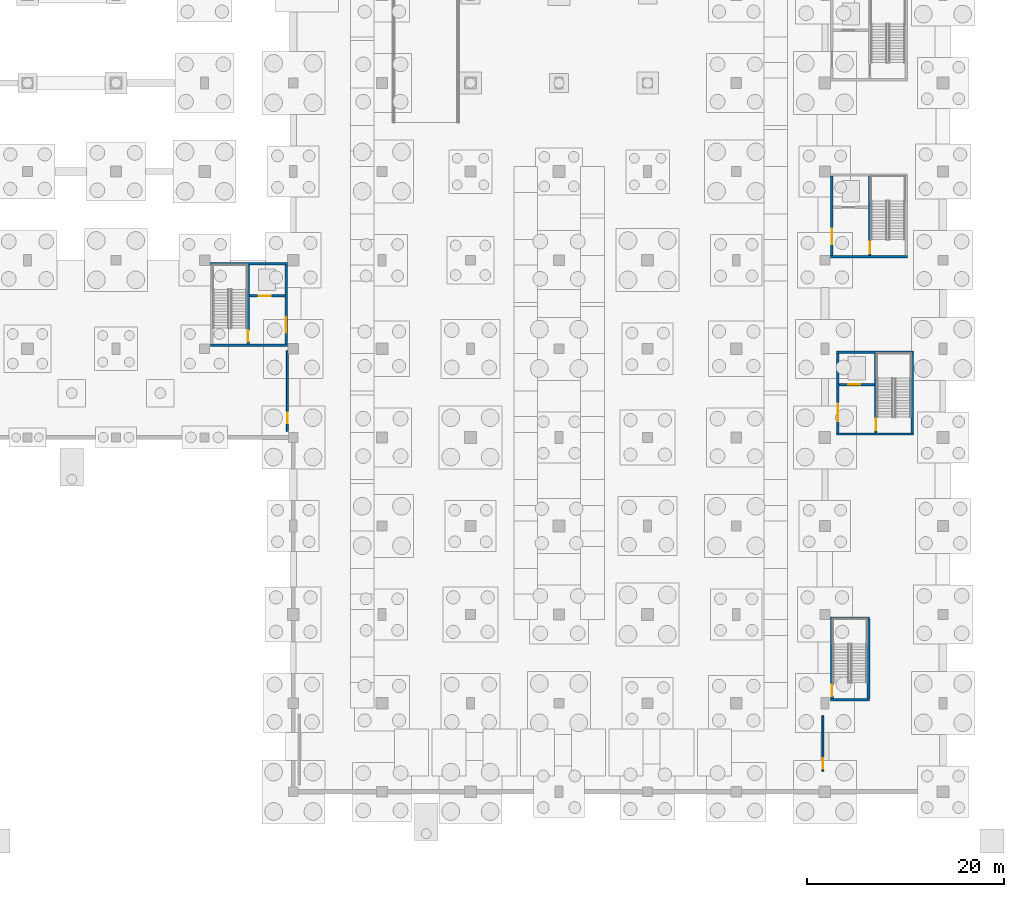
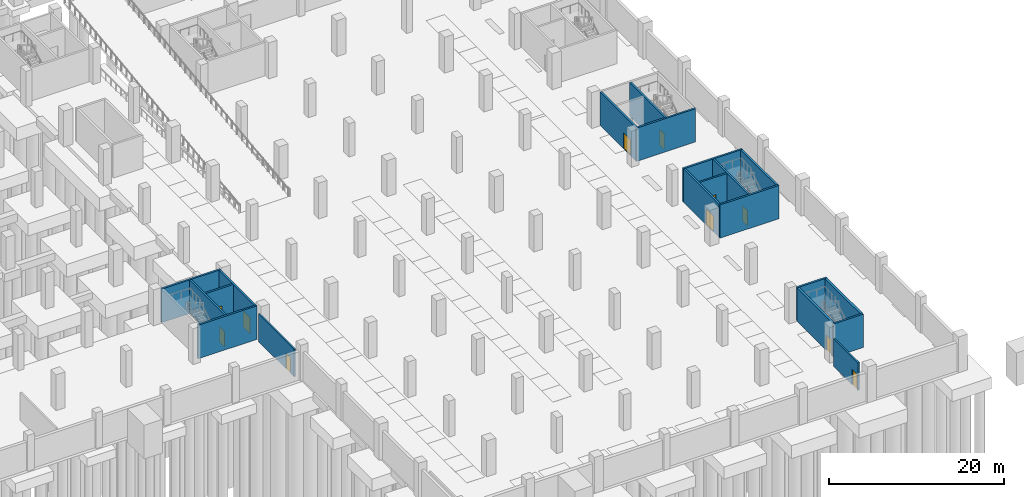
# One storey, part 19 of 37: 20 walls, 11 doors, 11 openings.
"""IFC4 building model written with IfcOpenShell, lengths in metres."""

from ifc_helpers import new_model, si_unit, direction, frame, frame_2d, origin, place, context, subcontext, project, spatial, rectangle, extrude, material, layer, layer_set, type_object, element, fill, save


model = new_model("IFC4")

# Units and contexts
model_context = context("Model", 3, precision=1e-05, world=origin(), true_north=direction((0.0, 1.0)))
body_context = subcontext(model_context, "Body", "Model", "MODEL_VIEW")
ifc_project = project(units=[si_unit("LENGTHUNIT", "METRE"), si_unit("AREAUNIT", "SQUARE_METRE"), si_unit("VOLUMEUNIT", "CUBIC_METRE"), si_unit("PLANEANGLEUNIT", "RADIAN"), si_unit("MASSUNIT", "GRAM", prefix="KILO")], contexts=[model_context])

# Site, building, storey
site_placement = place(None, origin())
site = spatial("IfcSite", under=ifc_project, at=site_placement, CompositionType="ELEMENT")
building_placement = place(site_placement, origin())
building = spatial("IfcBuilding", under=site, at=building_placement, Name="Barlavento Convention Centre", CompositionType="ELEMENT")
storey_placement = place(building_placement, frame((0.0, 0.0, -5.0)))
storey = spatial("IfcBuildingStorey", under=building, at=storey_placement, Name="B1", CompositionType="ELEMENT", Elevation=-5.0)

# Wall, opening, door
ifc_material_1 = material(Name="Concrete C40/50", Category="concrete")
ifc_layer_1 = layer(ifc_material_1, 0.199951171875)
ifc_layer_set_1 = layer_set([ifc_layer_1], Name="ARC-WL-FIRE-200")
wall_type_1 = type_object("IfcWallType", Name="ARC-WL-FIRE-200", PredefinedType="SOLIDWALL", material=ifc_layer_set_1)
wall_1_placement = place(storey_placement, frame((125.39990234375, 36.60009765625, 0.0), z_axis=(0.0, 0.0, 1.0), x_axis=(0.0, 1.0, 0.0)))
wall_1 = element("IfcWall", 1, at=wall_1_placement, inside=storey, type_object=wall_type_1, Name="B1 interior wall FW-01", PredefinedType="SOLIDWALL", context=body_context, shape_type="SweptSolid", body=[
    extrude(rectangle(XDim=8.199951171875, YDim=0.199951171875, at=frame_2d((4.10009765625, 0.0))), origin(), (0.0, 0.0, 1.0), 3.85009765625),
])
opening_1_placement = place(wall_1_placement, frame((0.85009765625, 0.0, 0.0)))
opening_1 = element("IfcOpeningElement", 2, at=opening_1_placement, cuts=wall_1, Name="Opening FD-04", PredefinedType="OPENING", context=body_context, shape_type="SweptSolid", body=[
    extrude(rectangle(XDim=1.050048828125, YDim=2.14990234375, at=frame_2d((0.52490234375, 1.074951171875))), frame((0.0, 0.10986328125, 0.0), z_axis=(0.0, -1.0, 0.0), x_axis=(1.0, 0.0, 0.0)), (0.0, 0.0, 1.0), 0.219970703125),
])
ifc_material_2 = material(Name="Painted galvanized steel", Category="steel")
door_type_1 = type_object("IfcDoorType", Name="ARC-DR-FIRE-1050X2150", OperationType="NOTDEFINED", PredefinedType="DOOR", material=ifc_material_2)
door_1_placement = place(opening_1_placement, origin())
door_1 = element("IfcDoor", 3, at=door_1_placement, inside=storey, type_object=door_type_1, Name="DR-INT-B1-0207 B1 interior door FD-04", OperationType="SINGLE_SWING_RIGHT", OverallHeight=2.14990234375, OverallWidth=1.050048828125, PredefinedType="DOOR", context=body_context, shape_type="SweptSolid", body=[
    extrude(rectangle(XDim=1.050048828125, YDim=2.14990234375, at=frame_2d((0.52490234375, 1.074951171875))), frame((0.0, 0.02490234375, 0.0), z_axis=(0.0, -1.0, 0.0), x_axis=(1.0, 0.0, 0.0)), (0.0, 0.0, 1.0), 0.050048828125),
])
fill(opening_1, door_1)

wall_2_placement = place(storey_placement, frame((179.800048828125, 2.10009765625, 0.0), z_axis=(0.0, 0.0, 1.0), x_axis=(0.0, 1.0, 0.0)))
wall_2 = element("IfcWall", 4, at=wall_2_placement, inside=storey, type_object=wall_type_1, Name="B1 interior wall FW-01", PredefinedType="SOLIDWALL", context=body_context, shape_type="SweptSolid", body=[
    extrude(rectangle(XDim=5.599853515625, YDim=0.199951171875, at=frame_2d((2.7998046875, 0.0))), origin(), (0.0, 0.0, 1.0), 3.85009765625),
])
opening_2_placement = place(wall_2_placement, frame((0.25, 0.0, 0.0)))
opening_2 = element("IfcOpeningElement", 5, at=opening_2_placement, cuts=wall_2, Name="Opening FD-04", PredefinedType="OPENING", context=body_context, shape_type="SweptSolid", body=[
    extrude(rectangle(XDim=1.050048828125, YDim=2.14990234375, at=frame_2d((0.52490234375, 1.074951171875))), frame((0.0, 0.10986328125, 0.0), z_axis=(0.0, -1.0, 0.0), x_axis=(1.0, 0.0, 0.0)), (0.0, 0.0, 1.0), 0.219970703125),
])
door_2_placement = place(opening_2_placement, origin())
door_2 = element("IfcDoor", 6, at=door_2_placement, inside=storey, type_object=door_type_1, Name="DR-INT-B1-0209 B1 interior door FD-04", OperationType="SINGLE_SWING_LEFT", OverallHeight=2.14990234375, OverallWidth=1.050048828125, PredefinedType="DOOR", context=body_context, shape_type="SweptSolid", body=[
    extrude(rectangle(XDim=1.050048828125, YDim=2.14990234375, at=frame_2d((0.52490234375, 1.074951171875))), frame((0.0, 0.02490234375, 0.0), z_axis=(0.0, -1.0, 0.0), x_axis=(1.0, 0.0, 0.0)), (0.0, 0.0, 1.0), 0.050048828125),
])
fill(opening_2, door_2)

ifc_material_3 = material(Name="Concrete C50/60", Category="concrete")
ifc_layer_2 = layer(ifc_material_3, 0.25)
ifc_layer_set_2 = layer_set([ifc_layer_2], Name="STR-WL-CORE-250")
wall_type_2 = type_object("IfcWallType", Name="STR-WL-CORE-250", PredefinedType="SHEAR", material=ifc_layer_set_2)
wall_3_placement = place(storey_placement, frame((125.27490234375, 45.469970703125, 0.0), z_axis=(0.0, 0.0, 1.0), x_axis=(0.0, 1.0, 0.0)))
wall_3 = element("IfcWall", 7, at=wall_3_placement, inside=storey, type_object=wall_type_2, Name="B1 interior wall CW-02", PredefinedType="SHEAR", context=body_context, shape_type="SweptSolid", body=[
    extrude(rectangle(XDim=8.06005859375, YDim=0.25, at=frame_2d((4.030029296875, 0.0))), origin(), (0.0, 0.0, 1.0), 4.679931640625),
])
opening_3_placement = place(wall_3_placement, frame((1.14990234375, 0.0, 0.0)))
opening_3 = element("IfcOpeningElement", 8, at=opening_3_placement, cuts=wall_3, Name="Opening FD-02", PredefinedType="OPENING", context=body_context, shape_type="SweptSolid", body=[
    extrude(rectangle(XDim=1.60009765625, YDim=2.199951171875, at=frame_2d((0.800048828125, 1.10009765625))), frame((0.0, 0.135009765625, 0.0), z_axis=(0.0, -1.0, 0.0), x_axis=(1.0, 0.0, 0.0)), (0.0, 0.0, 1.0), 0.27001953125),
])
door_type_2 = type_object("IfcDoorType", Name="ARC-DR-FIRE-1600X2200", OperationType="DOUBLE_DOOR_SINGLE_SWING", PredefinedType="DOOR", material=ifc_material_2)
door_3_placement = place(opening_3_placement, origin())
door_3 = element("IfcDoor", 9, at=door_3_placement, inside=storey, type_object=door_type_2, Name="DR-INT-B1-0042 B1 LP3 lobby fire door", OperationType="DOUBLE_DOOR_SINGLE_SWING", OverallHeight=2.199951171875, OverallWidth=1.60009765625, PredefinedType="DOOR", context=body_context, shape_type="SweptSolid", body=[
    extrude(rectangle(XDim=1.60009765625, YDim=2.199951171875, at=frame_2d((0.800048828125, 1.10009765625))), frame((0.0, 0.02490234375, 0.0), z_axis=(0.0, -1.0, 0.0), x_axis=(1.0, 0.0, 0.0)), (0.0, 0.0, 1.0), 0.050048828125),
])
fill(opening_3, door_3)

# Walls
for number, where, z_axis, x_axis, name in (
    (10, (117.60009765625, 45.344970703125, 0.0), (0.0, 0.0, 1.0), (1.0, 0.0, 0.0), "B1 interior wall CW-02"),
    (11, (117.60009765625, 53.655029296875, 0.0), (0.0, 0.0, 1.0), (1.0, 0.0, 0.0), "B1 interior wall CW-02"),
):
    element("IfcWall", number, at=place(storey_placement, frame(where, z_axis=z_axis, x_axis=x_axis)), inside=storey, type_object=wall_type_2, Name=name, PredefinedType="SHEAR", context=body_context, shape_type="SweptSolid", body=[
        extrude(rectangle(XDim=7.7998046875, YDim=0.25, at=frame_2d((3.89990234375, 0.0))), origin(), (0.0, 0.0, 1.0), 4.679931640625),
    ])

# Wall, opening, door
wall_4_placement = place(storey_placement, frame((121.4150390625, 45.469970703125, 0.0), z_axis=(0.0, 0.0, 1.0), x_axis=(0.0, 1.0, 0.0)))
wall_4 = element("IfcWall", 12, at=wall_4_placement, inside=storey, type_object=wall_type_2, Name="B1 interior wall CW-02", PredefinedType="SHEAR", context=body_context, shape_type="SweptSolid", body=[
    extrude(rectangle(XDim=8.06005859375, YDim=0.25, at=frame_2d((4.030029296875, 0.0))), origin(), (0.0, 0.0, 1.0), 4.679931640625),
])
opening_4_placement = place(wall_4_placement, frame((0.25, 0.0, 0.0)))
opening_4 = element("IfcOpeningElement", 13, at=opening_4_placement, cuts=wall_4, Name="Opening FD-03", PredefinedType="OPENING", context=body_context, shape_type="SweptSolid", body=[
    extrude(rectangle(XDim=1.14990234375, YDim=2.14990234375, at=frame_2d((0.574951171875, 1.074951171875))), frame((0.0, 0.135009765625, 0.0), z_axis=(0.0, -1.0, 0.0), x_axis=(1.0, 0.0, 0.0)), (0.0, 0.0, 1.0), 0.27001953125),
])
door_type_3 = type_object("IfcDoorType", Name="ARC-DR-FIRE-1150X2150", OperationType="NOTDEFINED", PredefinedType="DOOR", material=ifc_material_2)
door_4_placement = place(opening_4_placement, origin())
door_4 = element("IfcDoor", 14, at=door_4_placement, inside=storey, type_object=door_type_3, Name="DR-INT-B1-0040 B1 ST04 stair fire door FD-03", OperationType="SINGLE_SWING_RIGHT", OverallHeight=2.14990234375, OverallWidth=1.14990234375, PredefinedType="DOOR", context=body_context, shape_type="SweptSolid", body=[
    extrude(rectangle(XDim=1.14990234375, YDim=2.14990234375, at=frame_2d((0.574951171875, 1.074951171875))), frame((0.0, 0.02490234375, 0.0), z_axis=(0.0, -1.0, 0.0), x_axis=(1.0, 0.0, 0.0)), (0.0, 0.0, 1.0), 0.050048828125),
])
fill(opening_4, door_4)

wall_5_placement = place(storey_placement, frame((121.5400390625, 50.3701171875, 0.0), z_axis=(0.0, 0.0, 1.0), x_axis=(1.0, 0.0, 0.0)))
wall_5 = element("IfcWall", 15, at=wall_5_placement, inside=storey, type_object=wall_type_2, Name="B1 interior wall CW-02", PredefinedType="SHEAR", context=body_context, shape_type="SweptSolid", body=[
    extrude(rectangle(XDim=3.60986328125, YDim=0.25, at=frame_2d((1.804931640625, 0.0))), origin(), (0.0, 0.0, 1.0), 4.679931640625),
])
opening_5_placement = place(wall_5_placement, frame((0.949951171875, 0.0, 0.0)))
opening_5 = element("IfcOpeningElement", 16, at=opening_5_placement, cuts=wall_5, Name="Opening LD-01", PredefinedType="OPENING", context=body_context, shape_type="SweptSolid", body=[
    extrude(rectangle(XDim=1.199951171875, YDim=2.199951171875, at=frame_2d((0.60009765625, 1.10009765625))), frame((0.0, 0.135009765625, 0.0), z_axis=(0.0, -1.0, 0.0), x_axis=(1.0, 0.0, 0.0)), (0.0, 0.0, 1.0), 0.27001953125),
])
ifc_material_4 = material(Name="Brushed stainless steel", Category="steel")
door_type_4 = type_object("IfcDoorType", Name="ARC-DR-LIFT-1200X2200", OperationType="DOUBLE_DOOR_SLIDING", PredefinedType="DOOR", material=ifc_material_4)
door_5_placement = place(opening_5_placement, origin())
door_5 = element("IfcDoor", 17, at=door_5_placement, inside=storey, type_object=door_type_4, Name="DR-INT-B1-0041 LP3 lift sliding landing door", OperationType="DOUBLE_DOOR_SLIDING", OverallHeight=2.199951171875, OverallWidth=1.199951171875, PredefinedType="DOOR", context=body_context, shape_type="SweptSolid", body=[
    extrude(rectangle(XDim=1.199951171875, YDim=2.199951171875, at=frame_2d((0.60009765625, 1.10009765625))), frame((0.0, 0.02490234375, 0.0), z_axis=(0.0, -1.0, 0.0), x_axis=(1.0, 0.0, 0.0)), (0.0, 0.0, 1.0), 0.050048828125),
])
fill(opening_5, door_5)

wall_6_placement = place(storey_placement, frame((180.72509765625, 54.469970703125, 0.0), z_axis=(0.0, 0.0, 1.0), x_axis=(0.0, 1.0, 0.0)))
wall_6 = element("IfcWall", 18, at=wall_6_placement, inside=storey, type_object=wall_type_2, Name="B1 interior wall CW-02", PredefinedType="SHEAR", context=body_context, shape_type="SweptSolid", body=[
    extrude(rectangle(XDim=8.06005859375, YDim=0.25, at=frame_2d((4.030029296875, 0.0))), origin(), (0.0, 0.0, 1.0), 4.639892578125),
])
opening_6_placement = place(wall_6_placement, frame((1.14990234375, 0.0, 0.0)))
opening_6 = element("IfcOpeningElement", 19, at=opening_6_placement, cuts=wall_6, Name="Opening FD-02", PredefinedType="OPENING", context=body_context, shape_type="SweptSolid", body=[
    extrude(rectangle(XDim=1.60009765625, YDim=2.199951171875, at=frame_2d((0.800048828125, 1.10009765625))), frame((0.0, 0.135009765625, 0.0), z_axis=(0.0, -1.0, 0.0), x_axis=(1.0, 0.0, 0.0)), (0.0, 0.0, 1.0), 0.27001953125),
])
door_6_placement = place(opening_6_placement, origin())
door_6 = element("IfcDoor", 20, at=door_6_placement, inside=storey, type_object=door_type_2, Name="DR-INT-B1-0057 B1 LP4 lobby fire door", OperationType="DOUBLE_DOOR_SINGLE_SWING", OverallHeight=2.199951171875, OverallWidth=1.60009765625, PredefinedType="DOOR", context=body_context, shape_type="SweptSolid", body=[
    extrude(rectangle(XDim=1.60009765625, YDim=2.199951171875, at=frame_2d((0.800048828125, 1.10009765625))), frame((0.0, 0.02490234375, 0.0), z_axis=(0.0, -1.0, 0.0), x_axis=(1.0, 0.0, 0.0)), (0.0, 0.0, 1.0), 0.050048828125),
])
fill(opening_6, door_6)

# Wall
wall_7_placement = place(storey_placement, frame((180.60009765625, 54.344970703125, 0.0), z_axis=(0.0, 0.0, 1.0), x_axis=(1.0, 0.0, 0.0)))
element("IfcWall", 21, at=wall_7_placement, inside=storey, type_object=wall_type_2, Name="B1 interior wall CW-02", PredefinedType="SHEAR", context=body_context, shape_type="SweptSolid", body=[
    extrude(rectangle(XDim=7.7998046875, YDim=0.25, at=frame_2d((3.89990234375, 0.0))), origin(), (0.0, 0.0, 1.0), 4.639892578125),
])

# Wall, opening, door
wall_8_placement = place(storey_placement, frame((184.5849609375, 54.469970703125, 0.0), z_axis=(0.0, 0.0, 1.0), x_axis=(0.0, 1.0, 0.0)))
wall_8 = element("IfcWall", 22, at=wall_8_placement, inside=storey, type_object=wall_type_2, Name="B1 interior wall CW-02", PredefinedType="SHEAR", context=body_context, shape_type="SweptSolid", body=[
    extrude(rectangle(XDim=8.06005859375, YDim=0.25, at=frame_2d((4.030029296875, 0.0))), origin(), (0.0, 0.0, 1.0), 4.639892578125),
])
opening_7_placement = place(wall_8_placement, frame((0.25, 0.0, 0.0)))
opening_7 = element("IfcOpeningElement", 23, at=opening_7_placement, cuts=wall_8, Name="Opening FD-03", PredefinedType="OPENING", context=body_context, shape_type="SweptSolid", body=[
    extrude(rectangle(XDim=1.14990234375, YDim=2.14990234375, at=frame_2d((0.574951171875, 1.074951171875))), frame((0.0, 0.135009765625, 0.0), z_axis=(0.0, -1.0, 0.0), x_axis=(1.0, 0.0, 0.0)), (0.0, 0.0, 1.0), 0.27001953125),
])
door_7_placement = place(opening_7_placement, origin())
door_7 = element("IfcDoor", 24, at=door_7_placement, inside=storey, type_object=door_type_3, Name="DR-INT-B1-0055 B1 ST05 stair fire door FD-03", OperationType="SINGLE_SWING_LEFT", OverallHeight=2.14990234375, OverallWidth=1.14990234375, PredefinedType="DOOR", context=body_context, shape_type="SweptSolid", body=[
    extrude(rectangle(XDim=1.14990234375, YDim=2.14990234375, at=frame_2d((0.574951171875, 1.074951171875))), frame((0.0, 0.02490234375, 0.0), z_axis=(0.0, -1.0, 0.0), x_axis=(1.0, 0.0, 0.0)), (0.0, 0.0, 1.0), 0.050048828125),
])
fill(opening_7, door_7)

wall_9_placement = place(storey_placement, frame((181.324951171875, 36.469970703125, 0.0), z_axis=(0.0, 0.0, 1.0), x_axis=(0.0, 1.0, 0.0)))
wall_9 = element("IfcWall", 25, at=wall_9_placement, inside=storey, type_object=wall_type_2, Name="B1 interior wall CW-02", PredefinedType="SHEAR", context=body_context, shape_type="SweptSolid", body=[
    extrude(rectangle(XDim=8.06005859375, YDim=0.25, at=frame_2d((4.030029296875, 0.0))), origin(), (0.0, 0.0, 1.0), 4.639892578125),
])
opening_8_placement = place(wall_9_placement, frame((1.14990234375, 0.0, 0.0)))
opening_8 = element("IfcOpeningElement", 26, at=opening_8_placement, cuts=wall_9, Name="Opening FD-01", PredefinedType="OPENING", context=body_context, shape_type="SweptSolid", body=[
    extrude(rectangle(XDim=1.800048828125, YDim=2.199951171875, at=frame_2d((0.89990234375, 1.10009765625))), frame((0.0, 0.135009765625, 0.0), z_axis=(0.0, -1.0, 0.0), x_axis=(1.0, 0.0, 0.0)), (0.0, 0.0, 1.0), 0.27001953125),
])
door_type_5 = type_object("IfcDoorType", Name="ARC-DR-FIRE-1800X2200", OperationType="DOUBLE_DOOR_SINGLE_SWING", PredefinedType="DOOR", material=ifc_material_2)
door_8_placement = place(opening_8_placement, origin())
door_8 = element("IfcDoor", 27, at=door_8_placement, inside=storey, type_object=door_type_5, Name="DR-INT-B1-0078 B1 FL2 lobby fire door", OperationType="DOUBLE_DOOR_SINGLE_SWING", OverallHeight=2.199951171875, OverallWidth=1.800048828125, PredefinedType="DOOR", context=body_context, shape_type="SweptSolid", body=[
    extrude(rectangle(XDim=1.800048828125, YDim=2.199951171875, at=frame_2d((0.89990234375, 1.10009765625))), frame((0.0, 0.02490234375, 0.0), z_axis=(0.0, -1.0, 0.0), x_axis=(1.0, 0.0, 0.0)), (0.0, 0.0, 1.0), 0.050048828125),
])
fill(opening_8, door_8)

# Walls
wall_10_placement = place(storey_placement, frame((188.875, 36.469970703125, 0.0), z_axis=(0.0, 0.0, 1.0), x_axis=(0.0, 1.0, 0.0)))
element("IfcWall", 28, at=wall_10_placement, inside=storey, type_object=wall_type_2, Name="B1 interior wall CW-02", PredefinedType="SHEAR", context=body_context, shape_type="SweptSolid", body=[
    extrude(rectangle(XDim=8.06005859375, YDim=0.25, at=frame_2d((4.030029296875, 0.0))), origin(), (0.0, 0.0, 1.0), 4.639892578125),
])
for number, where, z_axis, x_axis, name in (
    (29, (181.199951171875, 36.344970703125, 0.0), (0.0, 0.0, 1.0), (1.0, 0.0, 0.0), "B1 interior wall CW-02"),
    (30, (181.199951171875, 44.655029296875, 0.0), (0.0, 0.0, 1.0), (1.0, 0.0, 0.0), "B1 interior wall CW-02"),
):
    element("IfcWall", number, at=place(storey_placement, frame(where, z_axis=z_axis, x_axis=x_axis)), inside=storey, type_object=wall_type_2, Name=name, PredefinedType="SHEAR", context=body_context, shape_type="SweptSolid", body=[
        extrude(rectangle(XDim=7.800048828125, YDim=0.25, at=frame_2d((3.89990234375, 0.0))), origin(), (0.0, 0.0, 1.0), 4.639892578125),
    ])

# Wall, opening, door
wall_11_placement = place(storey_placement, frame((185.18505859375, 36.469970703125, 0.0), z_axis=(0.0, 0.0, 1.0), x_axis=(0.0, 1.0, 0.0)))
wall_11 = element("IfcWall", 31, at=wall_11_placement, inside=storey, type_object=wall_type_2, Name="B1 interior wall CW-02", PredefinedType="SHEAR", context=body_context, shape_type="SweptSolid", body=[
    extrude(rectangle(XDim=8.06005859375, YDim=0.25, at=frame_2d((4.030029296875, 0.0))), origin(), (0.0, 0.0, 1.0), 4.639892578125),
])
opening_9_placement = place(wall_11_placement, frame((0.25, 0.0, 0.0)))
opening_9 = element("IfcOpeningElement", 32, at=opening_9_placement, cuts=wall_11, Name="Opening FD-03", PredefinedType="OPENING", context=body_context, shape_type="SweptSolid", body=[
    extrude(rectangle(XDim=1.14990234375, YDim=2.14990234375, at=frame_2d((0.574951171875, 1.074951171875))), frame((0.0, 0.135009765625, 0.0), z_axis=(0.0, -1.0, 0.0), x_axis=(1.0, 0.0, 0.0)), (0.0, 0.0, 1.0), 0.27001953125),
])
door_9_placement = place(opening_9_placement, origin())
door_9 = element("IfcDoor", 33, at=door_9_placement, inside=storey, type_object=door_type_3, Name="DR-INT-B1-0076 B1 ST06 stair fire door FD-03", OperationType="SINGLE_SWING_RIGHT", OverallHeight=2.14990234375, OverallWidth=1.14990234375, PredefinedType="DOOR", context=body_context, shape_type="SweptSolid", body=[
    extrude(rectangle(XDim=1.14990234375, YDim=2.14990234375, at=frame_2d((0.574951171875, 1.074951171875))), frame((0.0, 0.02490234375, 0.0), z_axis=(0.0, -1.0, 0.0), x_axis=(1.0, 0.0, 0.0)), (0.0, 0.0, 1.0), 0.050048828125),
])
fill(opening_9, door_9)

wall_12_placement = place(storey_placement, frame((181.449951171875, 41.3701171875, 0.0), z_axis=(0.0, 0.0, 1.0), x_axis=(1.0, 0.0, 0.0)))
wall_12 = element("IfcWall", 34, at=wall_12_placement, inside=storey, type_object=wall_type_2, Name="B1 interior wall CW-02", PredefinedType="SHEAR", context=body_context, shape_type="SweptSolid", body=[
    extrude(rectangle(XDim=3.610107421875, YDim=0.25, at=frame_2d((1.80517578125, 0.0))), origin(), (0.0, 0.0, 1.0), 4.639892578125),
])
opening_10_placement = place(wall_12_placement, frame((0.949951171875, 0.0, 0.0)))
opening_10 = element("IfcOpeningElement", 35, at=opening_10_placement, cuts=wall_12, Name="Opening LD-01", PredefinedType="OPENING", context=body_context, shape_type="SweptSolid", body=[
    extrude(rectangle(XDim=1.199951171875, YDim=2.199951171875, at=frame_2d((0.60009765625, 1.10009765625))), frame((0.0, 0.135009765625, 0.0), z_axis=(0.0, -1.0, 0.0), x_axis=(1.0, 0.0, 0.0)), (0.0, 0.0, 1.0), 0.27001953125),
])
door_10_placement = place(opening_10_placement, origin())
door_10 = element("IfcDoor", 36, at=door_10_placement, inside=storey, type_object=door_type_4, Name="DR-INT-B1-0077 FL2 lift sliding landing door", OperationType="DOUBLE_DOOR_SLIDING", OverallHeight=2.199951171875, OverallWidth=1.199951171875, PredefinedType="DOOR", context=body_context, shape_type="SweptSolid", body=[
    extrude(rectangle(XDim=1.199951171875, YDim=2.199951171875, at=frame_2d((0.60009765625, 1.10009765625))), frame((0.0, 0.02490234375, 0.0), z_axis=(0.0, -1.0, 0.0), x_axis=(1.0, 0.0, 0.0)), (0.0, 0.0, 1.0), 0.050048828125),
])
fill(opening_10, door_10)

# Walls
for number, where, z_axis, x_axis, name in (
    (37, (180.60009765625, 9.344970703125, 0.0), (0.0, 0.0, 1.0), (1.0, 0.0, 0.0), "B1 interior wall CW-02"),
    (38, (180.60009765625, 17.655029296875, 0.0), (0.0, 0.0, 1.0), (1.0, 0.0, 0.0), "B1 interior wall CW-02"),
):
    element("IfcWall", number, at=place(storey_placement, frame(where, z_axis=z_axis, x_axis=x_axis)), inside=storey, type_object=wall_type_2, Name=name, PredefinedType="SHEAR", context=body_context, shape_type="SweptSolid", body=[
        extrude(rectangle(XDim=3.93994140625, YDim=0.25, at=frame_2d((1.969970703125, 0.0))), origin(), (0.0, 0.0, 1.0), 4.639892578125),
    ])

# Wall, opening, door
ifc_layer_3 = layer(ifc_material_3, 0.300048828125)
ifc_layer_set_3 = layer_set([ifc_layer_3], Name="STR-WL-CORE-300")
wall_type_3 = type_object("IfcWallType", Name="STR-WL-CORE-300", PredefinedType="SHEAR", material=ifc_layer_set_3)
wall_13_placement = place(storey_placement, frame((180.72509765625, 9.469970703125, 0.0), z_axis=(0.0, 0.0, 1.0), x_axis=(0.0, 1.0, 0.0)))
wall_13 = element("IfcWall", 39, at=wall_13_placement, inside=storey, type_object=wall_type_3, Name="B1 interior wall CW-01", PredefinedType="SHEAR", context=body_context, shape_type="SweptSolid", body=[
    extrude(rectangle(XDim=8.06005859375, YDim=0.300048828125, at=frame_2d((4.030029296875, 0.0))), origin(), (0.0, 0.0, 1.0), 4.639892578125),
])
opening_11_placement = place(wall_13_placement, frame((0.25, 0.0, 0.0)))
opening_11 = element("IfcOpeningElement", 40, at=opening_11_placement, cuts=wall_13, Name="Opening FD-03", PredefinedType="OPENING", context=body_context, shape_type="SweptSolid", body=[
    extrude(rectangle(XDim=1.14990234375, YDim=2.14990234375, at=frame_2d((0.574951171875, 1.074951171875))), frame((0.0, 0.159912109375, 0.0), z_axis=(0.0, -1.0, 0.0), x_axis=(1.0, 0.0, 0.0)), (0.0, 0.0, 1.0), 0.320068359375),
])
door_11_placement = place(opening_11_placement, origin())
door_11 = element("IfcDoor", 41, at=door_11_placement, inside=storey, type_object=door_type_3, Name="DR-INT-B1-0179 B1 ST14 stair fire door FD-03", OperationType="SINGLE_SWING_LEFT", OverallHeight=2.14990234375, OverallWidth=1.14990234375, PredefinedType="DOOR", context=body_context, shape_type="SweptSolid", body=[
    extrude(rectangle(XDim=1.14990234375, YDim=2.14990234375, at=frame_2d((0.574951171875, 1.074951171875))), frame((0.0, 0.02490234375, 0.0), z_axis=(0.0, -1.0, 0.0), x_axis=(1.0, 0.0, 0.0)), (0.0, 0.0, 1.0), 0.050048828125),
])
fill(opening_11, door_11)

# Wall
wall_14_placement = place(storey_placement, frame((184.4150390625, 9.469970703125, 0.0), z_axis=(0.0, 0.0, 1.0), x_axis=(0.0, 1.0, 0.0)))
element("IfcWall", 42, at=wall_14_placement, inside=storey, type_object=wall_type_3, Name="B1 interior wall CW-01", PredefinedType="SHEAR", context=body_context, shape_type="SweptSolid", body=[
    extrude(rectangle(XDim=8.06005859375, YDim=0.300048828125, at=frame_2d((4.030029296875, 0.0))), origin(), (0.0, 0.0, 1.0), 4.639892578125),
])

save(model, "model.ifc")
